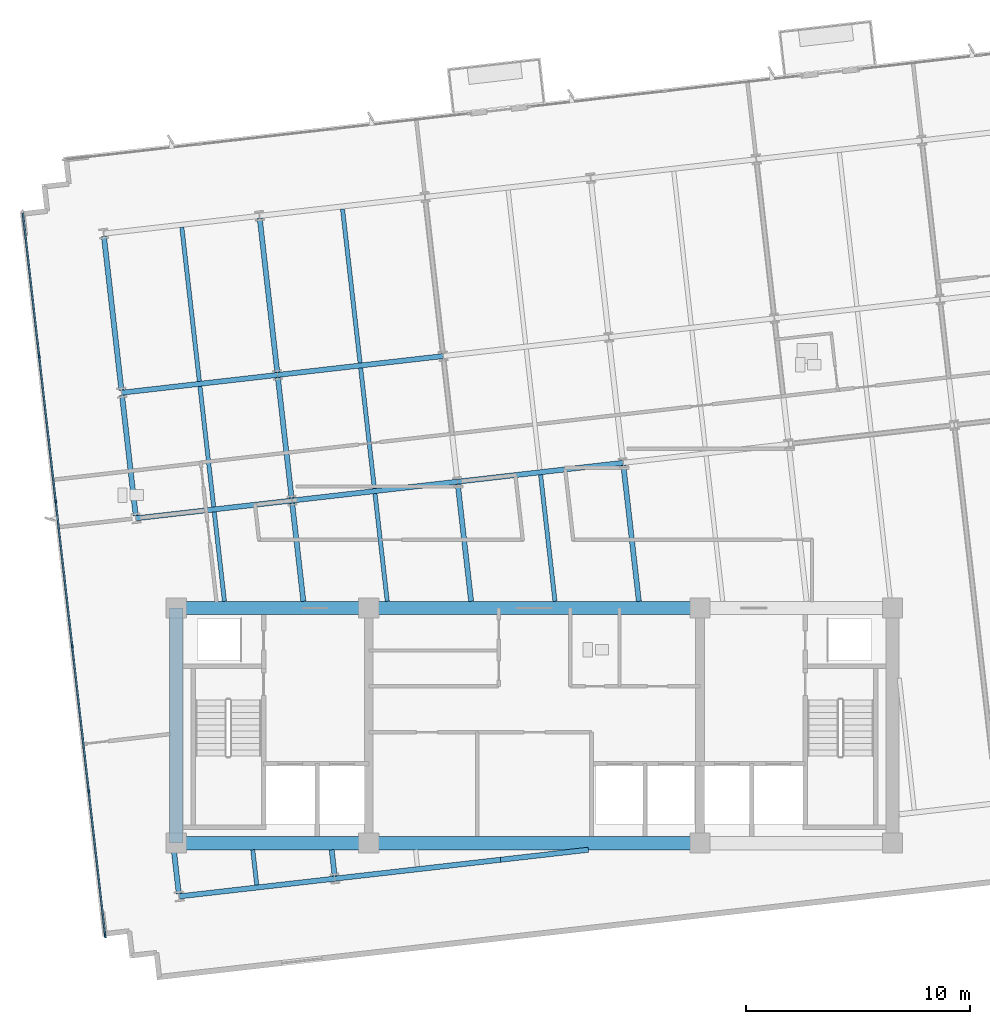
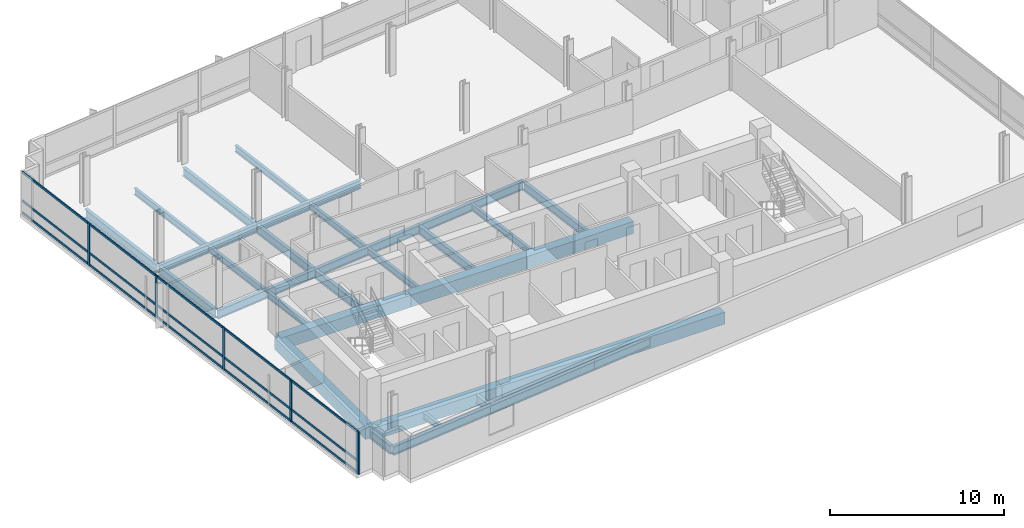
# One storey, part 2 of 14: 30 beams, 20 members, 1 element without a shape of its own.
"""IFC4 building model written with IfcOpenShell, lengths in metres."""

from ifc_helpers import new_model, si_unit, direction, frame, origin, origin_2d, place, context, subcontext, project, spatial, rectangle, i_section, extrude, material, material_profile, profile_set, type_object, element, aggregate, save


model = new_model("IFC4")

# Units and contexts
model_context = context("Model", 3, precision=1e-05, world=origin(), true_north=direction((0.0, 1.0)))
body_context = subcontext(model_context, "Body", "Model", "MODEL_VIEW")
ifc_project = project(units=[si_unit("LENGTHUNIT", "METRE"), si_unit("AREAUNIT", "SQUARE_METRE"), si_unit("VOLUMEUNIT", "CUBIC_METRE"), si_unit("PLANEANGLEUNIT", "RADIAN"), si_unit("MASSUNIT", "GRAM", prefix="KILO")], contexts=[model_context])

# Site, building, storey
site_placement = place(None, origin())
site = spatial("IfcSite", under=ifc_project, at=site_placement, CompositionType="ELEMENT")
building_placement = place(site_placement, origin())
building = spatial("IfcBuilding", under=site, at=building_placement, Name="Solmavex Isthmus Hotel", CompositionType="ELEMENT")
storey_placement = place(building_placement, frame((0.0, 0.0, 236.550048828125)))
storey = spatial("IfcBuildingStorey", under=building, at=storey_placement, Name="L64", CompositionType="ELEMENT", Elevation=236.550048828125)

# Beams
ifc_material_1 = material(Name="Steel ASTM A992 Grade 50", Category="steel")
ifc_material_profile_1 = material_profile(ifc_material_1, i_section(OverallWidth=0.1904296875, OverallDepth=0.456787109375, WebThickness=0.009033203125, FlangeThickness=0.014404296875, FilletRadius=0.0126953125, at=origin_2d()), Name="W18X50")
ifc_profile_set_1 = profile_set([ifc_material_profile_1], Name="Steel ASTM A992 Grade 50")
beam_type_1 = type_object("IfcBeamType", Name="BM-BJ-W18X50", PredefinedType="JOIST", material=ifc_profile_set_1)
beam_1_placement = place(storey_placement, frame((-12.404052734375, -14.872314453125, -0.488525390625), z_axis=(-0.113242002738, 0.993567435465, 0.0), x_axis=(-0.993567435465, -0.113242002738, 0.0)))
element("IfcBeam", 1, at=beam_1_placement, inside=storey, type_object=beam_type_1, Name="Secondary Floor Joist L64-J01", PredefinedType="JOIST", context=body_context, shape_type="SweptSolid", body=[
    extrude(i_section(OverallWidth=0.1904296875, OverallDepth=0.456787109375, WebThickness=0.009033203125, FlangeThickness=0.014404296875, FilletRadius=0.0126953125, at=origin_2d()), origin(), (0.0, 0.0, 1.0), 1.58251953125),
])
beam_2_placement = place(storey_placement, frame((-13.847900390625, -2.199951171875, -0.488525390625), z_axis=(-0.113179724577, 0.993574531651, 0.0), x_axis=(-0.993574531651, -0.113179724577, 0.0)))
element("IfcBeam", 2, at=beam_2_placement, inside=storey, type_object=beam_type_1, Name="Secondary Floor Joist L64-J02", PredefinedType="JOIST", context=body_context, shape_type="SweptSolid", body=[
    extrude(i_section(OverallWidth=0.1904296875, OverallDepth=0.456787109375, WebThickness=0.009033203125, FlangeThickness=0.014404296875, FilletRadius=0.0126953125, at=origin_2d()), origin(), (0.0, 0.0, 1.0), 4.0166015625),
])
beam_3_placement = place(storey_placement, frame((-14.328369140625, 2.01708984375, -0.488525390625), z_axis=(-0.113189626161, 0.993573403695, 0.0), x_axis=(-0.993573403695, -0.113189626161, 0.0)))
element("IfcBeam", 3, at=beam_3_placement, inside=storey, type_object=beam_type_1, Name="Secondary Floor Joist L64-J03", PredefinedType="JOIST", context=body_context, shape_type="SweptSolid", body=[
    extrude(i_section(OverallWidth=0.1904296875, OverallDepth=0.456787109375, WebThickness=0.009033203125, FlangeThickness=0.014404296875, FilletRadius=0.0126953125, at=origin_2d()), origin(), (0.0, 0.0, 1.0), 5.42041015625),
])
beam_4_placement = place(storey_placement, frame((-14.9677734375, 7.62890625, -0.488525390625), z_axis=(-0.113202453846, 0.993571942258, 0.0), x_axis=(-0.993571942258, -0.113202453846, 0.0)))
element("IfcBeam", 4, at=beam_4_placement, inside=storey, type_object=beam_type_1, Name="Secondary Floor Joist L64-J04", PredefinedType="JOIST", context=body_context, shape_type="SweptSolid", body=[
    extrude(i_section(OverallWidth=0.1904296875, OverallDepth=0.456787109375, WebThickness=0.009033203125, FlangeThickness=0.014404296875, FilletRadius=0.0126953125, at=origin_2d()), origin(), (0.0, 0.0, 1.0), 6.9228515625),
])
beam_5_placement = place(storey_placement, frame((-6.57421875, -2.199951171875, -0.488525390625), z_axis=(-0.113193768539, 0.993572931779, 0.0), x_axis=(-0.993572931779, -0.113193768539, 0.0)))
element("IfcBeam", 5, at=beam_5_placement, inside=storey, type_object=beam_type_1, Name="Secondary Floor Joist L64-J06", PredefinedType="JOIST", context=body_context, shape_type="SweptSolid", body=[
    extrude(i_section(OverallWidth=0.1904296875, OverallDepth=0.456787109375, WebThickness=0.009033203125, FlangeThickness=0.014404296875, FilletRadius=0.0126953125, at=origin_2d()), origin(), (0.0, 0.0, 1.0), 4.83984375),
])
beam_6_placement = place(storey_placement, frame((-7.14794921875, 2.835205078125, -0.488525390625), z_axis=(-0.113189626161, 0.993573403695, 0.0), x_axis=(-0.993573403695, -0.113189626161, 0.0)))
element("IfcBeam", 6, at=beam_6_placement, inside=storey, type_object=beam_type_1, Name="Secondary Floor Joist L64-J07", PredefinedType="JOIST", context=body_context, shape_type="SweptSolid", body=[
    extrude(i_section(OverallWidth=0.1904296875, OverallDepth=0.456787109375, WebThickness=0.009033203125, FlangeThickness=0.014404296875, FilletRadius=0.0126953125, at=origin_2d()), origin(), (0.0, 0.0, 1.0), 5.42041015625),
])
beam_7_placement = place(storey_placement, frame((-7.787109375, 8.447021484375, -0.488525390625), z_axis=(-0.113202453846, 0.993571942258, 0.0), x_axis=(-0.993571942258, -0.113202453846, 0.0)))
element("IfcBeam", 7, at=beam_7_placement, inside=storey, type_object=beam_type_1, Name="Secondary Floor Joist L64-J08", PredefinedType="JOIST", context=body_context, shape_type="SweptSolid", body=[
    extrude(i_section(OverallWidth=0.1904296875, OverallDepth=0.456787109375, WebThickness=0.009033203125, FlangeThickness=0.014404296875, FilletRadius=0.0126953125, at=origin_2d()), origin(), (0.0, 0.0, 1.0), 6.9228515625),
])
beam_8_placement = place(storey_placement, frame((0.920166015625, -2.199951171875, -0.488525390625), z_axis=(-0.113219765873, 0.993569969663, 0.0), x_axis=(-0.993569969663, -0.113219765873, 0.0)))
element("IfcBeam", 8, at=beam_8_placement, inside=storey, type_object=beam_type_1, Name="Secondary Floor Joist L64-J09", PredefinedType="JOIST", context=body_context, shape_type="SweptSolid", body=[
    extrude(i_section(OverallWidth=0.1904296875, OverallDepth=0.456787109375, WebThickness=0.009033203125, FlangeThickness=0.014404296875, FilletRadius=0.0126953125, at=origin_2d()), origin(), (0.0, 0.0, 1.0), 5.6884765625),
])
ifc_material_profile_2 = material_profile(ifc_material_1, i_section(OverallWidth=0.227783203125, OverallDepth=0.602783203125, WebThickness=0.010498046875, FlangeThickness=0.014892578125, FilletRadius=0.01513671875, at=origin_2d()), Name="W24X68")
ifc_profile_set_2 = profile_set([ifc_material_profile_2], Name="Steel ASTM A992 Grade 50")
beam_type_2 = type_object("IfcBeamType", Name="BM-BM-W24X68", PredefinedType="BEAM", material=ifc_profile_set_2)
beam_9_placement = place(storey_placement, frame((-17.796875, 1.50732421875, -0.561279296875), z_axis=(0.993569675103, 0.113222350774, 0.0), x_axis=(-0.113222350774, 0.993569675103, 0.0)))
element("IfcBeam", 9, at=beam_9_placement, inside=storey, type_object=beam_type_2, Name="Floor Girder L64-UG06", PredefinedType="BEAM", context=body_context, shape_type="SweptSolid", body=[
    extrude(i_section(OverallWidth=0.227783203125, OverallDepth=0.602783203125, WebThickness=0.010498046875, FlangeThickness=0.014892578125, FilletRadius=0.01513671875, at=origin_2d()), origin(), (0.0, 0.0, 1.0), 7.008056640625),
])
beam_10_placement = place(storey_placement, frame((-10.833984375, 2.30078125, -0.561279296875), z_axis=(0.993574034044, 0.113184092846, 0.0), x_axis=(-0.113184092846, 0.993574034044, 0.0)))
element("IfcBeam", 10, at=beam_10_placement, inside=storey, type_object=beam_type_2, Name="Floor Girder L64-UG07", PredefinedType="BEAM", context=body_context, shape_type="SweptSolid", body=[
    extrude(i_section(OverallWidth=0.227783203125, OverallDepth=0.602783203125, WebThickness=0.010498046875, FlangeThickness=0.014892578125, FilletRadius=0.01513671875, at=origin_2d()), origin(), (0.0, 0.0, 1.0), 7.446044921875),
])
beam_11_placement = place(storey_placement, frame((-3.435791015625, 3.1435546875, -0.561279296875), z_axis=(0.993569926006, 0.113220148984, 0.0), x_axis=(-0.113220148984, 0.993569926006, 0.0)))
element("IfcBeam", 11, at=beam_11_placement, inside=storey, type_object=beam_type_2, Name="Floor Girder L64-UG08", PredefinedType="BEAM", context=body_context, shape_type="SweptSolid", body=[
    extrude(i_section(OverallWidth=0.227783203125, OverallDepth=0.602783203125, WebThickness=0.010498046875, FlangeThickness=0.014892578125, FilletRadius=0.01513671875, at=origin_2d()), origin(), (0.0, 0.0, 1.0), 7.44580078125),
])
beam_12_placement = place(storey_placement, frame((-18.436279296875, 7.119140625, -0.561279296875), z_axis=(0.99357359356, 0.113187959519, 0.0), x_axis=(-0.113187959519, 0.99357359356, 0.0)))
element("IfcBeam", 12, at=beam_12_placement, inside=storey, type_object=beam_type_2, Name="Floor Girder L64-UG12", PredefinedType="BEAM", context=body_context, shape_type="SweptSolid", body=[
    extrude(i_section(OverallWidth=0.227783203125, OverallDepth=0.602783203125, WebThickness=0.010498046875, FlangeThickness=0.014892578125, FilletRadius=0.01513671875, at=origin_2d()), origin(), (0.0, 0.0, 1.0), 7.0078125),
])
beam_13_placement = place(storey_placement, frame((-11.473388671875, 7.912353515625, -0.561279296875), z_axis=(0.9935703463, 0.113216460607, 0.0), x_axis=(-0.113216460607, 0.9935703463, 0.0)))
element("IfcBeam", 13, at=beam_13_placement, inside=storey, type_object=beam_type_2, Name="Floor Girder L64-UG13", PredefinedType="BEAM", context=body_context, shape_type="SweptSolid", body=[
    extrude(i_section(OverallWidth=0.227783203125, OverallDepth=0.602783203125, WebThickness=0.010498046875, FlangeThickness=0.014892578125, FilletRadius=0.01513671875, at=origin_2d()), origin(), (0.0, 0.0, 1.0), 7.446044921875),
])
beam_14_placement = place(storey_placement, frame((-8.922607421875, -14.4755859375, -0.561279296875), z_axis=(-0.113284703976, 0.993562567655, 0.0), x_axis=(-0.993562567655, -0.113284703976, 0.0)))
element("IfcBeam", 14, at=beam_14_placement, inside=storey, type_object=beam_type_2, Name="Floor Beam L64-VG27", PredefinedType="BEAM", context=body_context, shape_type="SweptSolid", body=[
    extrude(i_section(OverallWidth=0.227783203125, OverallDepth=0.602783203125, WebThickness=0.010498046875, FlangeThickness=0.014892578125, FilletRadius=0.01513671875, at=origin_2d()), origin(), (0.0, 0.0, 1.0), 1.18310546875),
])
beam_15_placement = place(storey_placement, frame((-10.3212890625, -2.199951171875, -0.561279296875), z_axis=(-0.113173914695, 0.993575193447, 0.0), x_axis=(-0.993575193447, -0.113173914695, 0.0)))
element("IfcBeam", 15, at=beam_15_placement, inside=storey, type_object=beam_type_2, Name="Floor Beam L64-VG28", PredefinedType="BEAM", context=body_context, shape_type="SweptSolid", body=[
    extrude(i_section(OverallWidth=0.227783203125, OverallDepth=0.602783203125, WebThickness=0.010498046875, FlangeThickness=0.014892578125, FilletRadius=0.01513671875, at=origin_2d()), origin(), (0.0, 0.0, 1.0), 4.415771484375),
])
beam_16_placement = place(storey_placement, frame((-10.846923828125, 2.413818359375, -0.561279296875), z_axis=(-0.113189626161, 0.993573403695, 0.0), x_axis=(-0.993573403695, -0.113189626161, 0.0)))
element("IfcBeam", 16, at=beam_16_placement, inside=storey, type_object=beam_type_2, Name="Floor Beam L64-VG29", PredefinedType="BEAM", context=body_context, shape_type="SweptSolid", body=[
    extrude(i_section(OverallWidth=0.227783203125, OverallDepth=0.602783203125, WebThickness=0.010498046875, FlangeThickness=0.014892578125, FilletRadius=0.01513671875, at=origin_2d()), origin(), (0.0, 0.0, 1.0), 5.42041015625),
])
beam_17_placement = place(storey_placement, frame((-11.486328125, 8.025634765625, -0.561279296875), z_axis=(-0.113202453846, 0.993571942258, 0.0), x_axis=(-0.993571942258, -0.113202453846, 0.0)))
element("IfcBeam", 17, at=beam_17_placement, inside=storey, type_object=beam_type_2, Name="Floor Beam L64-VG30", PredefinedType="BEAM", context=body_context, shape_type="SweptSolid", body=[
    extrude(i_section(OverallWidth=0.227783203125, OverallDepth=0.602783203125, WebThickness=0.010498046875, FlangeThickness=0.014892578125, FilletRadius=0.01513671875, at=origin_2d()), origin(), (0.0, 0.0, 1.0), 6.9228515625),
])
beam_18_placement = place(storey_placement, frame((-2.8271484375, -2.199951171875, -0.561279296875), z_axis=(-0.113159423971, 0.993576843916, 0.0), x_axis=(-0.993576843916, -0.113159423971, 0.0)))
element("IfcBeam", 18, at=beam_18_placement, inside=storey, type_object=beam_type_2, Name="Floor Beam L64-VG31", PredefinedType="BEAM", context=body_context, shape_type="SweptSolid", body=[
    extrude(i_section(OverallWidth=0.227783203125, OverallDepth=0.602783203125, WebThickness=0.010498046875, FlangeThickness=0.014892578125, FilletRadius=0.01513671875, at=origin_2d()), origin(), (0.0, 0.0, 1.0), 5.26416015625),
])
beam_19_placement = place(storey_placement, frame((4.667236328125, -2.199951171875, -0.561279296875), z_axis=(-0.113232304752, 0.993568540746, 0.0), x_axis=(-0.993568540746, -0.113232304752, 0.0)))
element("IfcBeam", 19, at=beam_19_placement, inside=storey, type_object=beam_type_2, Name="Floor Beam L64-VG34", PredefinedType="BEAM", context=body_context, shape_type="SweptSolid", body=[
    extrude(i_section(OverallWidth=0.227783203125, OverallDepth=0.602783203125, WebThickness=0.010498046875, FlangeThickness=0.014892578125, FilletRadius=0.01513671875, at=origin_2d()), origin(), (0.0, 0.0, 1.0), 6.112548828125),
])
ifc_material_2 = material(Name="Concrete C50/60", Category="concrete")
ifc_material_profile_3 = material_profile(ifc_material_2, rectangle(XDim=0.60009765625, YDim=0.85009765625, at=origin_2d()), Name="RC600X850")
ifc_profile_set_3 = profile_set([ifc_material_profile_3], Name="Concrete C50/60")
beam_type_3 = type_object("IfcBeamType", Name="BM-CB-600X850", PredefinedType="BEAM", material=ifc_profile_set_3)
beam_20_placement = place(storey_placement, frame((-16.0, -13.0, -0.68505859375), z_axis=(1.0, 0.0, 0.0), x_axis=(0.0, 1.0, 0.0)))
element("IfcBeam", 20, at=beam_20_placement, inside=storey, type_object=beam_type_3, Name="Core Coupling Beam L64-CB1", PredefinedType="BEAM", context=body_context, shape_type="SweptSolid", body=[
    extrude(rectangle(XDim=0.60009765625, YDim=0.85009765625, at=origin_2d()), origin(), (0.0, 0.0, 1.0), 8.60009765625),
])
beam_21_placement = place(storey_placement, frame((-7.39990234375, -13.0, -0.68505859375), z_axis=(1.0, 0.0, 0.0), x_axis=(0.0, 1.0, 0.0)))
element("IfcBeam", 21, at=beam_21_placement, inside=storey, type_object=beam_type_3, Name="Core Coupling Beam L64-CB2", PredefinedType="BEAM", context=body_context, shape_type="SweptSolid", body=[
    extrude(rectangle(XDim=0.60009765625, YDim=0.85009765625, at=origin_2d()), origin(), (0.0, 0.0, 1.0), 14.7998046875),
])
beam_22_placement = place(storey_placement, frame((-16.0, -2.5, -0.68505859375), z_axis=(1.0, 0.0, 0.0), x_axis=(0.0, 1.0, 0.0)))
element("IfcBeam", 22, at=beam_22_placement, inside=storey, type_object=beam_type_3, Name="Core Coupling Beam L64-CB4", PredefinedType="BEAM", context=body_context, shape_type="SweptSolid", body=[
    extrude(rectangle(XDim=0.60009765625, YDim=0.85009765625, at=origin_2d()), origin(), (0.0, 0.0, 1.0), 8.60009765625),
])
beam_23_placement = place(storey_placement, frame((-7.39990234375, -2.5, -0.68505859375), z_axis=(1.0, 0.0, 0.0), x_axis=(0.0, 1.0, 0.0)))
element("IfcBeam", 23, at=beam_23_placement, inside=storey, type_object=beam_type_3, Name="Core Coupling Beam L64-CB5", PredefinedType="BEAM", context=body_context, shape_type="SweptSolid", body=[
    extrude(rectangle(XDim=0.60009765625, YDim=0.85009765625, at=origin_2d()), origin(), (0.0, 0.0, 1.0), 14.7998046875),
])
beam_24_placement = place(storey_placement, frame((-16.0, -13.0, -0.68505859375), z_axis=(0.0, 1.0, 0.0), x_axis=(-1.0, 0.0, 0.0)))
element("IfcBeam", 24, at=beam_24_placement, inside=storey, type_object=beam_type_3, Name="Core Coupling Beam L64-CB7", PredefinedType="BEAM", context=body_context, shape_type="SweptSolid", body=[
    extrude(rectangle(XDim=0.60009765625, YDim=0.85009765625, at=origin_2d()), origin(), (0.0, 0.0, 1.0), 10.5),
])
ifc_material_profile_4 = material_profile(ifc_material_1, i_section(OverallWidth=0.230224609375, OverallDepth=0.617431640625, WebThickness=0.01318359375, FlangeThickness=0.022216796875, FilletRadius=0.01513671875, at=origin_2d()), Name="W24X94")
ifc_profile_set_4 = profile_set([ifc_material_profile_4], Name="Steel ASTM A992 Grade 50")
beam_type_4 = type_object("IfcBeamType", Name="BM-SP-W24X94", PredefinedType="SPANDREL", material=ifc_profile_set_4)
beam_25_placement = place(storey_placement, frame((-15.87255859375, -15.38330078125, -0.56884765625), z_axis=(0.993574039862, 0.113184041777, 0.0), x_axis=(-0.113184041777, 0.993574039862, 0.0)))
element("IfcBeam", 25, at=beam_25_placement, inside=storey, type_object=beam_type_4, Name="Floor Girder L64-UG01", PredefinedType="SPANDREL", context=body_context, shape_type="SweptSolid", body=[
    extrude(i_section(OverallWidth=0.230224609375, OverallDepth=0.617431640625, WebThickness=0.01318359375, FlangeThickness=0.022216796875, FilletRadius=0.01513671875, at=origin_2d()), origin(), (0.0, 0.0, 1.0), 7.008056640625),
])
beam_26_placement = place(storey_placement, frame((-8.909423828125, -14.590087890625, -0.56884765625), z_axis=(0.993569926006, 0.113220148984, 0.0), x_axis=(-0.113220148984, 0.993569926006, 0.0)))
element("IfcBeam", 26, at=beam_26_placement, inside=storey, type_object=beam_type_4, Name="Floor Girder L64-UG02", PredefinedType="SPANDREL", context=body_context, shape_type="SweptSolid", body=[
    extrude(i_section(OverallWidth=0.230224609375, OverallDepth=0.617431640625, WebThickness=0.01318359375, FlangeThickness=0.022216796875, FilletRadius=0.01513671875, at=origin_2d()), origin(), (0.0, 0.0, 1.0), 7.44580078125),
])
beam_27_placement = place(storey_placement, frame((-1.511474609375, -13.7470703125, -0.56884765625), z_axis=(0.993575434773, 0.113171796023, 0.0), x_axis=(-0.113171796023, 0.993575434773, 0.0)))
element("IfcBeam", 27, at=beam_27_placement, inside=storey, type_object=beam_type_4, Name="Floor Girder L64-UG03", PredefinedType="SPANDREL", context=body_context, shape_type="SweptSolid", body=[
    extrude(i_section(OverallWidth=0.230224609375, OverallDepth=0.617431640625, WebThickness=0.01318359375, FlangeThickness=0.022216796875, FilletRadius=0.01513671875, at=origin_2d()), origin(), (0.0, 0.0, 1.0), 3.949951171875),
])
beam_28_placement = place(storey_placement, frame((-15.885498046875, -15.268798828125, -0.56884765625), z_axis=(-0.113230368519, 0.993568761408, 0.0), x_axis=(-0.993568761408, -0.113230368519, 0.0)))
element("IfcBeam", 28, at=beam_28_placement, inside=storey, type_object=beam_type_4, Name="Floor Beam L64-VG24", PredefinedType="SPANDREL", context=body_context, shape_type="SweptSolid", body=[
    extrude(i_section(OverallWidth=0.230224609375, OverallDepth=0.617431640625, WebThickness=0.01318359375, FlangeThickness=0.022216796875, FilletRadius=0.01513671875, at=origin_2d()), origin(), (0.0, 0.0, 1.0), 1.9814453125),
])
beam_29_placement = place(storey_placement, frame((-17.809814453125, 1.62060546875, -0.56884765625), z_axis=(-0.113194691868, 0.993572826587, 0.0), x_axis=(-0.993572826587, -0.113194691868, 0.0)))
element("IfcBeam", 29, at=beam_29_placement, inside=storey, type_object=beam_type_4, Name="Floor Beam L64-VG25", PredefinedType="SPANDREL", context=body_context, shape_type="SweptSolid", body=[
    extrude(i_section(OverallWidth=0.230224609375, OverallDepth=0.617431640625, WebThickness=0.01318359375, FlangeThickness=0.022216796875, FilletRadius=0.01513671875, at=origin_2d()), origin(), (0.0, 0.0, 1.0), 5.420166015625),
])
beam_30_placement = place(storey_placement, frame((-18.44921875, 7.232177734375, -0.56884765625), z_axis=(-0.113202453846, 0.993571942258, 0.0), x_axis=(-0.993571942258, -0.113202453846, 0.0)))
element("IfcBeam", 30, at=beam_30_placement, inside=storey, type_object=beam_type_4, Name="Floor Beam L64-VG26", PredefinedType="SPANDREL", context=body_context, shape_type="SweptSolid", body=[
    extrude(i_section(OverallWidth=0.230224609375, OverallDepth=0.617431640625, WebThickness=0.01318359375, FlangeThickness=0.022216796875, FilletRadius=0.01513671875, at=origin_2d()), origin(), (0.0, 0.0, 1.0), 6.9228515625),
])

# Curtain wall, members
ifc_material_3 = material(Name="Aluminium alloy 6063-T6", Category="aluminium")
curtain_wall_type = type_object("IfcCurtainWallType", Name="CW-SYS-04", PredefinedType="NOTDEFINED", material=ifc_material_3)
curtain_wall_placement = place(storey_placement, origin())
curtain_wall = element("IfcCurtainWall", 31, at=curtain_wall_placement, inside=storey, type_object=curtain_wall_type, Name="Stick Curtain Wall CWL-L64-W1", PredefinedType="NOTDEFINED")
ifc_material_profile_5 = material_profile(ifc_material_3, rectangle(XDim=0.074951171875, YDim=0.199951171875, at=origin_2d()), Name="CWM-75X200")
ifc_profile_set_5 = profile_set([ifc_material_profile_5], Name="Aluminium alloy 6063-T6")
member_type_1 = type_object("IfcMemberType", Name="CW-SYS-04-MUL", PredefinedType="MULLION", material=ifc_profile_set_5)
member_1_placement = place(storey_placement, frame((-19.17578125, -17.131103515625, 0.0), z_axis=(0.0, 0.0, 1.0), x_axis=(-0.993571836648, -0.11320338078, 0.0)))
member_1 = element("IfcMember", 32, at=member_1_placement, type_object=member_type_1, Name="CW-04 mullion 1", PredefinedType="MULLION", context=body_context, shape_type="SweptSolid", body=[
    extrude(rectangle(XDim=0.074951171875, YDim=0.199951171875, at=origin_2d()), origin(), (0.0, 0.0, 1.0), 3.0),
])
member_2_placement = place(storey_placement, frame((-19.90966796875, -10.690185546875, 0.0), z_axis=(0.0, 0.0, 1.0), x_axis=(-0.993571836648, -0.11320338078, 0.0)))
member_2 = element("IfcMember", 33, at=member_2_placement, type_object=member_type_1, Name="CW-04 mullion 2", PredefinedType="MULLION", context=body_context, shape_type="SweptSolid", body=[
    extrude(rectangle(XDim=0.074951171875, YDim=0.199951171875, at=origin_2d()), origin(), (0.0, 0.0, 1.0), 3.0),
])
member_3_placement = place(storey_placement, frame((-20.647705078125, -4.212158203125, 0.0), z_axis=(0.0, 0.0, 1.0), x_axis=(-0.993571836648, -0.11320338078, 0.0)))
member_3 = element("IfcMember", 34, at=member_3_placement, type_object=member_type_1, Name="CW-04 mullion 3", PredefinedType="MULLION", context=body_context, shape_type="SweptSolid", body=[
    extrude(rectangle(XDim=0.074951171875, YDim=0.199951171875, at=origin_2d()), origin(), (0.0, 0.0, 1.0), 3.0),
])
member_4_placement = place(storey_placement, frame((-21.385986328125, 2.265869140625, 0.0), z_axis=(0.0, 0.0, 1.0), x_axis=(-0.993571836648, -0.11320338078, 0.0)))
member_4 = element("IfcMember", 35, at=member_4_placement, type_object=member_type_1, Name="CW-04 mullion 4", PredefinedType="MULLION", context=body_context, shape_type="SweptSolid", body=[
    extrude(rectangle(XDim=0.074951171875, YDim=0.199951171875, at=origin_2d()), origin(), (0.0, 0.0, 1.0), 3.0),
])
member_5_placement = place(storey_placement, frame((-22.1240234375, 8.744140625, 0.0), z_axis=(0.0, 0.0, 1.0), x_axis=(-0.993571836648, -0.11320338078, 0.0)))
member_5 = element("IfcMember", 36, at=member_5_placement, type_object=member_type_1, Name="CW-04 mullion 5", PredefinedType="MULLION", context=body_context, shape_type="SweptSolid", body=[
    extrude(rectangle(XDim=0.074951171875, YDim=0.199951171875, at=origin_2d()), origin(), (0.0, 0.0, 1.0), 3.0),
])
ifc_material_profile_6 = material_profile(ifc_material_3, rectangle(XDim=0.074951171875, YDim=0.14990234375, at=origin_2d()), Name="CWT-75X150")
ifc_profile_set_6 = profile_set([ifc_material_profile_6], Name="Aluminium alloy 6063-T6")
member_type_2 = type_object("IfcMemberType", Name="CW-SYS-04-TRN", PredefinedType="USERDEFINED", material=ifc_profile_set_6)
member_6_placement = place(storey_placement, frame((-19.18017578125, -17.09375, 0.074951171875), z_axis=(-0.113203780919, 0.993571791058, 0.0), x_axis=(-0.993571791058, -0.113203780919, 0.0)))
member_6 = element("IfcMember", 37, at=member_6_placement, type_object=member_type_2, Name="CW-04 transom 1.1", ObjectType="TRANSOM", PredefinedType="USERDEFINED", context=body_context, shape_type="SweptSolid", body=[
    extrude(rectangle(XDim=0.074951171875, YDim=0.14990234375, at=origin_2d()), origin(), (0.0, 0.0, 1.0), 6.407470703125),
])
member_7_placement = place(storey_placement, frame((-19.18017578125, -17.09375, 0.89990234375), z_axis=(-0.113203780919, 0.993571791058, 0.0), x_axis=(-0.993571791058, -0.113203780919, 0.0)))
member_7 = element("IfcMember", 38, at=member_7_placement, type_object=member_type_2, Name="CW-04 transom 1.2", ObjectType="TRANSOM", PredefinedType="USERDEFINED", context=body_context, shape_type="SweptSolid", body=[
    extrude(rectangle(XDim=0.074951171875, YDim=0.14990234375, at=origin_2d()), origin(), (0.0, 0.0, 1.0), 6.407470703125),
])
member_8_placement = place(storey_placement, frame((-19.18017578125, -17.09375, 2.925048828125), z_axis=(-0.113203780919, 0.993571791058, 0.0), x_axis=(-0.993571791058, -0.113203780919, 0.0)))
member_8 = element("IfcMember", 39, at=member_8_placement, type_object=member_type_2, Name="CW-04 transom 1.3", ObjectType="TRANSOM", PredefinedType="USERDEFINED", context=body_context, shape_type="SweptSolid", body=[
    extrude(rectangle(XDim=0.074951171875, YDim=0.14990234375, at=origin_2d()), origin(), (0.0, 0.0, 1.0), 6.407470703125),
])
member_9_placement = place(storey_placement, frame((-19.9140625, -10.653076171875, 0.074951171875), z_axis=(-0.113187617296, 0.993573632546, 0.0), x_axis=(-0.993573632546, -0.113187617296, 0.0)))
member_9 = element("IfcMember", 40, at=member_9_placement, type_object=member_type_2, Name="CW-04 transom 2.1", ObjectType="TRANSOM", PredefinedType="USERDEFINED", context=body_context, shape_type="SweptSolid", body=[
    extrude(rectangle(XDim=0.074951171875, YDim=0.14990234375, at=origin_2d()), origin(), (0.0, 0.0, 1.0), 6.445068359375),
])
member_10_placement = place(storey_placement, frame((-19.9140625, -10.653076171875, 0.89990234375), z_axis=(-0.113187617296, 0.993573632546, 0.0), x_axis=(-0.993573632546, -0.113187617296, 0.0)))
member_10 = element("IfcMember", 41, at=member_10_placement, type_object=member_type_2, Name="CW-04 transom 2.2", ObjectType="TRANSOM", PredefinedType="USERDEFINED", context=body_context, shape_type="SweptSolid", body=[
    extrude(rectangle(XDim=0.074951171875, YDim=0.14990234375, at=origin_2d()), origin(), (0.0, 0.0, 1.0), 6.445068359375),
])
member_11_placement = place(storey_placement, frame((-19.9140625, -10.653076171875, 2.925048828125), z_axis=(-0.113187617296, 0.993573632546, 0.0), x_axis=(-0.993573632546, -0.113187617296, 0.0)))
member_11 = element("IfcMember", 42, at=member_11_placement, type_object=member_type_2, Name="CW-04 transom 2.3", ObjectType="TRANSOM", PredefinedType="USERDEFINED", context=body_context, shape_type="SweptSolid", body=[
    extrude(rectangle(XDim=0.074951171875, YDim=0.14990234375, at=origin_2d()), origin(), (0.0, 0.0, 1.0), 6.445068359375),
])
member_12_placement = place(storey_placement, frame((-20.652099609375, -4.1748046875, 0.074951171875), z_axis=(-0.113187617296, 0.993573632546, 0.0), x_axis=(-0.993573632546, -0.113187617296, 0.0)))
member_12 = element("IfcMember", 43, at=member_12_placement, type_object=member_type_2, Name="CW-04 transom 3.1", ObjectType="TRANSOM", PredefinedType="USERDEFINED", context=body_context, shape_type="SweptSolid", body=[
    extrude(rectangle(XDim=0.074951171875, YDim=0.14990234375, at=origin_2d()), origin(), (0.0, 0.0, 1.0), 6.445068359375),
])
member_13_placement = place(storey_placement, frame((-20.652099609375, -4.1748046875, 0.89990234375), z_axis=(-0.113187617296, 0.993573632546, 0.0), x_axis=(-0.993573632546, -0.113187617296, 0.0)))
member_13 = element("IfcMember", 44, at=member_13_placement, type_object=member_type_2, Name="CW-04 transom 3.2", ObjectType="TRANSOM", PredefinedType="USERDEFINED", context=body_context, shape_type="SweptSolid", body=[
    extrude(rectangle(XDim=0.074951171875, YDim=0.14990234375, at=origin_2d()), origin(), (0.0, 0.0, 1.0), 6.445068359375),
])
member_14_placement = place(storey_placement, frame((-20.652099609375, -4.1748046875, 2.925048828125), z_axis=(-0.113187617296, 0.993573632546, 0.0), x_axis=(-0.993573632546, -0.113187617296, 0.0)))
member_14 = element("IfcMember", 45, at=member_14_placement, type_object=member_type_2, Name="CW-04 transom 3.3", ObjectType="TRANSOM", PredefinedType="USERDEFINED", context=body_context, shape_type="SweptSolid", body=[
    extrude(rectangle(XDim=0.074951171875, YDim=0.14990234375, at=origin_2d()), origin(), (0.0, 0.0, 1.0), 6.445068359375),
])
member_15_placement = place(storey_placement, frame((-21.39013671875, 2.30322265625, 0.074951171875), z_axis=(-0.113187617296, 0.993573632546, 0.0), x_axis=(-0.993573632546, -0.113187617296, 0.0)))
member_15 = element("IfcMember", 46, at=member_15_placement, type_object=member_type_2, Name="CW-04 transom 4.1", ObjectType="TRANSOM", PredefinedType="USERDEFINED", context=body_context, shape_type="SweptSolid", body=[
    extrude(rectangle(XDim=0.074951171875, YDim=0.14990234375, at=origin_2d()), origin(), (0.0, 0.0, 1.0), 6.445068359375),
])
member_16_placement = place(storey_placement, frame((-21.39013671875, 2.30322265625, 0.89990234375), z_axis=(-0.113187617296, 0.993573632546, 0.0), x_axis=(-0.993573632546, -0.113187617296, 0.0)))
member_16 = element("IfcMember", 47, at=member_16_placement, type_object=member_type_2, Name="CW-04 transom 4.2", ObjectType="TRANSOM", PredefinedType="USERDEFINED", context=body_context, shape_type="SweptSolid", body=[
    extrude(rectangle(XDim=0.074951171875, YDim=0.14990234375, at=origin_2d()), origin(), (0.0, 0.0, 1.0), 6.445068359375),
])
member_17_placement = place(storey_placement, frame((-21.39013671875, 2.30322265625, 2.925048828125), z_axis=(-0.113187617296, 0.993573632546, 0.0), x_axis=(-0.993573632546, -0.113187617296, 0.0)))
member_17 = element("IfcMember", 48, at=member_17_placement, type_object=member_type_2, Name="CW-04 transom 4.3", ObjectType="TRANSOM", PredefinedType="USERDEFINED", context=body_context, shape_type="SweptSolid", body=[
    extrude(rectangle(XDim=0.074951171875, YDim=0.14990234375, at=origin_2d()), origin(), (0.0, 0.0, 1.0), 6.445068359375),
])
member_18_placement = place(storey_placement, frame((-22.128173828125, 8.78125, 0.074951171875), z_axis=(-0.113199495412, 0.993572279323, 0.0), x_axis=(-0.993572279323, -0.113199495412, 0.0)))
member_18 = element("IfcMember", 49, at=member_18_placement, type_object=member_type_2, Name="CW-04 transom 5.1", ObjectType="TRANSOM", PredefinedType="USERDEFINED", context=body_context, shape_type="SweptSolid", body=[
    extrude(rectangle(XDim=0.074951171875, YDim=0.14990234375, at=origin_2d()), origin(), (0.0, 0.0, 1.0), 6.40771484375),
])
member_19_placement = place(storey_placement, frame((-22.128173828125, 8.78125, 0.89990234375), z_axis=(-0.113199495412, 0.993572279323, 0.0), x_axis=(-0.993572279323, -0.113199495412, 0.0)))
member_19 = element("IfcMember", 50, at=member_19_placement, type_object=member_type_2, Name="CW-04 transom 5.2", ObjectType="TRANSOM", PredefinedType="USERDEFINED", context=body_context, shape_type="SweptSolid", body=[
    extrude(rectangle(XDim=0.074951171875, YDim=0.14990234375, at=origin_2d()), origin(), (0.0, 0.0, 1.0), 6.40771484375),
])
member_20_placement = place(storey_placement, frame((-22.128173828125, 8.78125, 2.925048828125), z_axis=(-0.113199495412, 0.993572279323, 0.0), x_axis=(-0.993572279323, -0.113199495412, 0.0)))
member_20 = element("IfcMember", 51, at=member_20_placement, type_object=member_type_2, Name="CW-04 transom 5.3", ObjectType="TRANSOM", PredefinedType="USERDEFINED", context=body_context, shape_type="SweptSolid", body=[
    extrude(rectangle(XDim=0.074951171875, YDim=0.14990234375, at=origin_2d()), origin(), (0.0, 0.0, 1.0), 6.40771484375),
])
aggregate(curtain_wall, [member_1, member_2, member_3, member_4, member_5, member_6, member_7, member_8, member_9, member_10, member_11, member_12, member_13, member_14, member_15, member_16, member_17, member_18, member_19, member_20])

save(model, "model.ifc")
